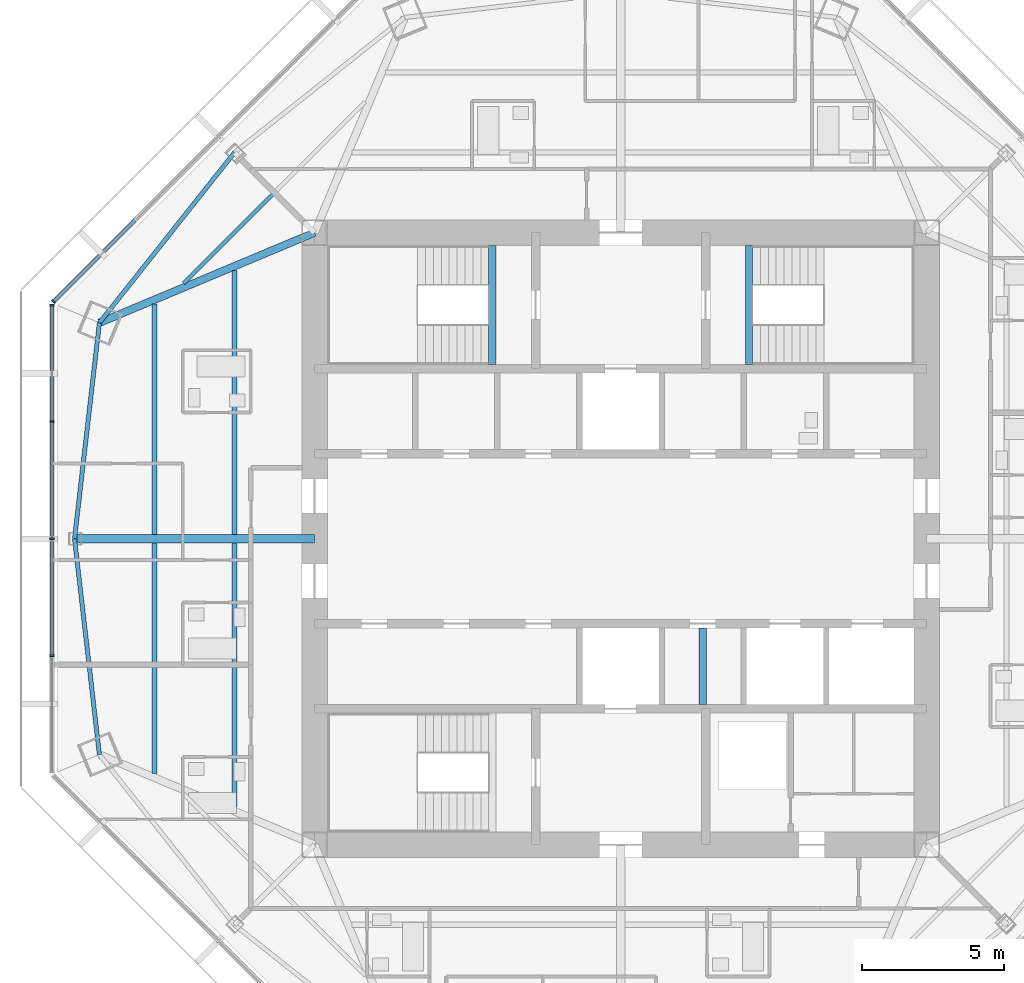
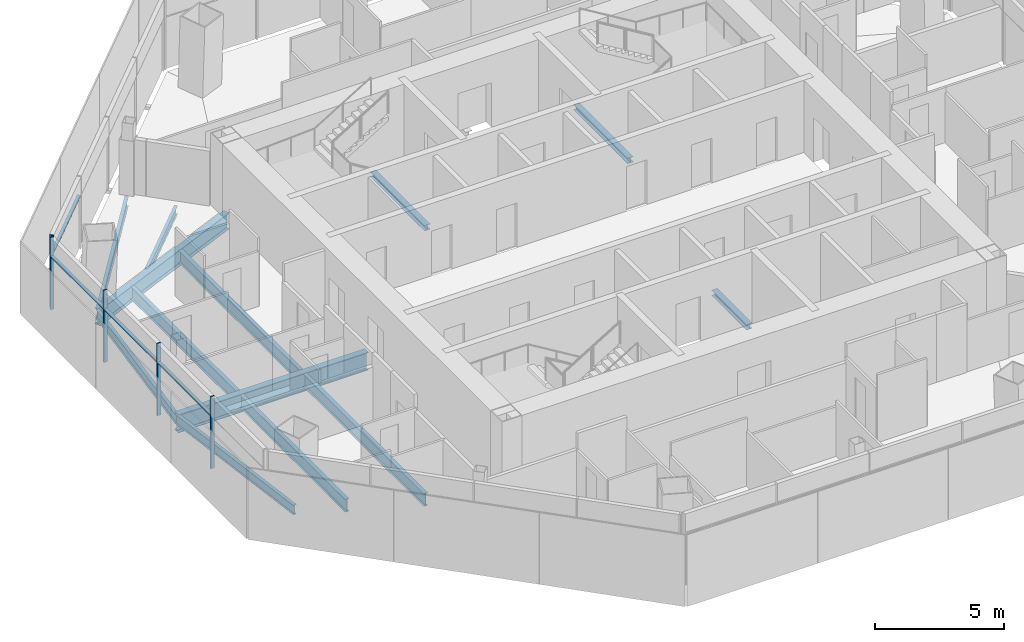
# One storey, part 4 of 15: 13 beams, 9 members, 2 elements without a shape of their own.
"""IFC4 building model written with IfcOpenShell, lengths in metres."""

from ifc_helpers import new_model, si_unit, direction, frame, origin, origin_2d, place, context, subcontext, project, spatial, rectangle, i_section, extrude, source, transform, mapped, material, material_profile, profile_set, type_object, type_shapes, element, aggregate, save


model = new_model("IFC4")

# Units and contexts
model_context = context("Model", 3, precision=1e-05, world=origin(), true_north=direction((0.0, 1.0)))
body_context = subcontext(model_context, "Body", "Model", "MODEL_VIEW")
ifc_project = project(units=[si_unit("LENGTHUNIT", "METRE"), si_unit("AREAUNIT", "SQUARE_METRE"), si_unit("VOLUMEUNIT", "CUBIC_METRE"), si_unit("PLANEANGLEUNIT", "RADIAN"), si_unit("MASSUNIT", "GRAM", prefix="KILO")], contexts=[model_context])

# Site, building, storey
site_placement = place(None, origin())
site = spatial("IfcSite", under=ifc_project, at=site_placement, CompositionType="ELEMENT")
building_placement = place(site_placement, origin())
building = spatial("IfcBuilding", under=site, at=building_placement, Name="Mashrafa Tower", CompositionType="ELEMENT")
storey_placement = place(building_placement, frame((0.0, 0.0, 281.0)))
storey = spatial("IfcBuildingStorey", under=building, at=storey_placement, Name="L68", CompositionType="ELEMENT", Elevation=281.0)

# Beams
ifc_material_1 = material(Name="Steel ASTM A992", Category="steel")
ifc_material_profile_1 = material_profile(ifc_material_1, i_section(OverallWidth=0.140380859375, OverallDepth=0.40380859375, WebThickness=0.007080078125, FlangeThickness=0.01123046875, FilletRadius=0.01025390625, at=origin_2d()), Name="W16X31")
ifc_profile_set_1 = profile_set([ifc_material_profile_1], Name="Steel ASTM A992")
beam_type_1 = type_object("IfcBeamType", Name="Beam W16X31", PredefinedType="BEAM", material=ifc_profile_set_1)
beam_1_placement = place(storey_placement, frame((-15.41650390625, 9.010498046875, -0.40185546875), z_axis=(0.707106781187, 0.707106781187, 0.0), x_axis=(-0.707106781187, 0.707106781187, 0.0)))
element("IfcBeam", 1, at=beam_1_placement, inside=storey, type_object=beam_type_1, Name="Floor beam L68 003", PredefinedType="BEAM", context=body_context, shape_type="SweptSolid", body=[
    extrude(i_section(OverallWidth=0.140380859375, OverallDepth=0.40380859375, WebThickness=0.007080078125, FlangeThickness=0.01123046875, FilletRadius=0.01025390625, at=origin_2d()), origin(), (0.0, 0.0, 1.0), 4.4404296875),
])
ifc_material_2 = material(Name="Steel ASTM A992", Category="steel")
ifc_material_profile_2 = material_profile(ifc_material_2, i_section(OverallWidth=0.15234375, OverallDepth=0.449462890625, WebThickness=0.007568359375, FlangeThickness=0.0107421875, FilletRadius=0.01025390625, at=origin_2d()), Name="W18X35")
ifc_profile_set_2 = profile_set([ifc_material_profile_2], Name="Steel ASTM A992")
beam_type_2 = type_object("IfcBeamType", Name="Beam W18X35", PredefinedType="BEAM", material=ifc_profile_set_2)
for number, where, z_axis, x_axis, name in (
    (2, (-19.271240234375, 0.0, -0.4248046875), (0.114508109387, -0.993422313462, 0.0), (0.993422313462, 0.114508109387, 0.0), "Spandrel beam L68 041"),
    (3, (-18.39306640625, 7.61865234375, -0.4248046875), (-0.114508109387, -0.993422313462, 0.0), (0.993422313462, -0.114508109387, 0.0), "Spandrel beam L68 043"),
    (4, (-13.626953125, 13.626953125, -0.4248046875), (-0.621467485512, -0.783439955868, 0.0), (0.783439955868, -0.621467485512, 0.0), "Spandrel beam L68 045"),
):
    element("IfcBeam", number, at=place(storey_placement, frame(where, z_axis=z_axis, x_axis=x_axis)), inside=storey, type_object=beam_type_2, Name=name, PredefinedType="BEAM", context=body_context, shape_type="SweptSolid", body=[
        extrude(i_section(OverallWidth=0.15234375, OverallDepth=0.449462890625, WebThickness=0.007568359375, FlangeThickness=0.0107421875, FilletRadius=0.01025390625, at=origin_2d()), origin(), (0.0, 0.0, 1.0), 7.669189453125),
    ])
ifc_material_3 = material(Name="Steel ASTM A992", Category="steel")
ifc_material_profile_3 = material_profile(ifc_material_3, i_section(OverallWidth=0.177978515625, OverallDepth=0.599365234375, WebThickness=0.010009765625, FlangeThickness=0.012939453125, FilletRadius=0.012939453125, at=origin_2d()), Name="W24X55")
ifc_profile_set_3 = profile_set([ifc_material_profile_3], Name="Steel ASTM A992")
beam_type_3 = type_object("IfcBeamType", Name="Beam W24X55", PredefinedType="BEAM", material=ifc_profile_set_3)
for number, where, z_axis, x_axis, name in (
    (5, (-16.447509765625, -8.289306640625, -0.499755859375), (0.0, 1.0, 0.0), (-1.0, 0.0, 0.0), "Floor beam L68 001"),
    (6, (-16.447509765625, 0.14599609375, -0.499755859375), (0.0, 1.0, 0.0), (-1.0, 0.0, 0.0), "Floor beam L68 002"),
):
    element("IfcBeam", number, at=place(storey_placement, frame(where, z_axis=z_axis, x_axis=x_axis)), inside=storey, type_object=beam_type_3, Name=name, PredefinedType="BEAM", context=body_context, shape_type="SweptSolid", body=[
        extrude(i_section(OverallWidth=0.177978515625, OverallDepth=0.599365234375, WebThickness=0.010009765625, FlangeThickness=0.012939453125, FilletRadius=0.012939453125, at=origin_2d()), origin(), (0.0, 0.0, 1.0), 8.143310546875),
    ])
for number, where, z_axis, x_axis, name in (
    (7, (-13.623779296875, -9.472412109375, -0.499755859375), (0.0, 1.0, 0.0), (-1.0, 0.0, 0.0), "Floor beam L68 004"),
    (8, (-13.623779296875, 0.14599609375, -0.499755859375), (0.0, 1.0, 0.0), (-1.0, 0.0, 0.0), "Floor beam L68 005"),
):
    element("IfcBeam", number, at=place(storey_placement, frame(where, z_axis=z_axis, x_axis=x_axis)), inside=storey, type_object=beam_type_3, Name=name, PredefinedType="BEAM", context=body_context, shape_type="SweptSolid", body=[
        extrude(i_section(OverallWidth=0.177978515625, OverallDepth=0.599365234375, WebThickness=0.010009765625, FlangeThickness=0.012939453125, FilletRadius=0.012939453125, at=origin_2d()), origin(), (0.0, 0.0, 1.0), 9.326416015625),
    ])
ifc_material_4 = material(Name="Steel ASTM A992", Category="steel")
ifc_material_profile_4 = material_profile(ifc_material_4, i_section(OverallWidth=0.2666015625, OverallDepth=0.761962890625, WebThickness=0.014404296875, FlangeThickness=0.021484375, FilletRadius=0.0166015625, at=origin_2d()), Name="W30X116")
ifc_profile_set_4 = profile_set([ifc_material_profile_4], Name="Steel ASTM A992")
beam_type_4 = type_object("IfcBeamType", Name="Beam W30X116", PredefinedType="BEAM", material=ifc_profile_set_4)
beam_2_placement = place(storey_placement, frame((-10.800048828125, 10.800048828125, -0.5810546875), z_axis=(-0.922314428851, -0.386440285597, 0.0), x_axis=(0.386440285597, -0.922314428851, 0.0)))
element("IfcBeam", 9, at=beam_2_placement, inside=storey, type_object=beam_type_4, Name="Radial girder L68 029", PredefinedType="BEAM", context=body_context, shape_type="SweptSolid", body=[
    extrude(i_section(OverallWidth=0.2666015625, OverallDepth=0.761962890625, WebThickness=0.014404296875, FlangeThickness=0.021484375, FilletRadius=0.0166015625, at=origin_2d()), origin(), (0.0, 0.0, 1.0), 8.232666015625),
])
ifc_material_5 = material(Name="Steel ASTM A992", Category="steel")
ifc_material_profile_5 = material_profile(ifc_material_5, i_section(OverallWidth=0.2919921875, OverallDepth=0.845703125, WebThickness=0.015380859375, FlangeThickness=0.0244140625, FilletRadius=0.017333984375, at=origin_2d()), Name="W33X141")
ifc_profile_set_5 = profile_set([ifc_material_profile_5], Name="Steel ASTM A992")
beam_type_5 = type_object("IfcBeamType", Name="Beam W33X141", PredefinedType="BEAM", material=ifc_profile_set_5)
beam_3_placement = place(storey_placement, frame((-10.800048828125, 0.0, -0.622802734375), z_axis=(-1.0, 0.0, 0.0), x_axis=(0.0, -1.0, 0.0)))
element("IfcBeam", 10, at=beam_3_placement, inside=storey, type_object=beam_type_5, Name="Radial girder L68 028", PredefinedType="BEAM", context=body_context, shape_type="SweptSolid", body=[
    extrude(i_section(OverallWidth=0.2919921875, OverallDepth=0.845703125, WebThickness=0.015380859375, FlangeThickness=0.0244140625, FilletRadius=0.017333984375, at=origin_2d()), origin(), (0.0, 0.0, 1.0), 8.47119140625),
])
ifc_material_6 = material(Name="Steel ASTM A992", Category="steel")
ifc_material_profile_6 = material_profile(ifc_material_6, i_section(OverallWidth=0.25390625, OverallDepth=0.25390625, WebThickness=0.008544921875, FlangeThickness=0.01416015625, FilletRadius=0.010009765625, at=origin_2d()), Name="W10X49")
ifc_profile_set_6 = profile_set([ifc_material_profile_6], Name="Steel ASTM A992")
beam_type_6 = type_object("IfcBeamType", Name="Hoistway beam W10X49", PredefinedType="BEAM", material=ifc_profile_set_6)
beam_4_placement = place(storey_placement, frame((2.89990234375, -5.85009765625, -0.326904296875), z_axis=(0.0, 1.0, 0.0), x_axis=(-1.0, 0.0, 0.0)))
element("IfcBeam", 11, at=beam_4_placement, inside=storey, type_object=beam_type_6, Name="Hoistway beam L68 08", PredefinedType="BEAM", context=body_context, shape_type="SweptSolid", body=[
    extrude(i_section(OverallWidth=0.25390625, OverallDepth=0.25390625, WebThickness=0.008544921875, FlangeThickness=0.01416015625, FilletRadius=0.010009765625, at=origin_2d()), origin(), (0.0, 0.0, 1.0), 2.7001953125),
])
for number, where, z_axis, x_axis, name in (
    (12, (-4.530029296875, 6.14990234375, -0.326904296875), (0.0, 1.0, 0.0), (-1.0, 0.0, 0.0), "Stair S1 landing beam L68"),
    (13, (4.530029296875, 6.14990234375, -0.326904296875), (0.0, 1.0, 0.0), (-1.0, 0.0, 0.0), "Stair S2 landing beam L68"),
):
    element("IfcBeam", number, at=place(storey_placement, frame(where, z_axis=z_axis, x_axis=x_axis)), inside=storey, type_object=beam_type_6, Name=name, PredefinedType="BEAM", context=body_context, shape_type="SweptSolid", body=[
        extrude(i_section(OverallWidth=0.25390625, OverallDepth=0.25390625, WebThickness=0.008544921875, FlangeThickness=0.01416015625, FilletRadius=0.010009765625, at=origin_2d()), origin(), (0.0, 0.0, 1.0), 4.2001953125),
    ])

# Curtain wall, member
ifc_material_7 = material(Name="Unitised aluminium curtain wall", Category="aluminium")
curtain_wall_type = type_object("IfcCurtainWallType", Name="Apartment curtain wall, zone 4 CW-D 160 deep", PredefinedType="NOTDEFINED", material=ifc_material_7)
curtain_wall_1_placement = place(storey_placement, origin())
curtain_wall_1 = element("IfcCurtainWall", 14, at=curtain_wall_1_placement, inside=storey, type_object=curtain_wall_type, Name="Apartment curtain wall, zone 4 L68 north-west", PredefinedType="NOTDEFINED")
ifc_material_8 = material(Name="Extruded aluminium mullion", Category="aluminium")
ifc_material_profile_7 = material_profile(ifc_material_8, rectangle(XDim=0.159912109375, YDim=0.06005859375, at=origin_2d()), Name="Mullion 60x160")
ifc_profile_set_7 = profile_set([ifc_material_profile_7], Name="Extruded aluminium mullion")
member_type_1 = type_object("IfcMemberType", Name="Mullion CW-D 60 x 160", PredefinedType="MULLION", material=ifc_profile_set_7)
shared_shape_1 = source(origin(), body_context, "Body", "SweptSolid", [
    extrude(rectangle(XDim=0.159912109375, YDim=0.06005859375, at=origin_2d()), origin(), (0.0, 0.0, 1.0), 3.39990234375),
])
type_shapes(member_type_1, [shared_shape_1])
member_1_placement = place(storey_placement, frame((-20.013916015625, 8.36328125, 0.0), z_axis=(0.0, 0.0, 1.0), x_axis=(0.707106781187, -0.707106781187, 0.0)))
member_1 = element("IfcMember", 15, at=member_1_placement, type_object=member_type_1, Name="CW-D mullion 5", PredefinedType="MULLION", context=body_context, shape_type="MappedRepresentation", body=[
    mapped(shared_shape_1, transform((0.0, 0.0, 0.0))),
])

# Curtain wall, members
curtain_wall_2_placement = place(storey_placement, origin())
curtain_wall_2 = element("IfcCurtainWall", 16, at=curtain_wall_2_placement, inside=storey, type_object=curtain_wall_type, Name="Apartment curtain wall, zone 4 L68 west", PredefinedType="NOTDEFINED")
member_2_placement = place(storey_placement, frame((-20.065673828125, 8.23828125, 0.0), z_axis=(0.0, 0.0, 1.0), x_axis=(1.0, 0.0, 0.0)))
member_2 = element("IfcMember", 17, at=member_2_placement, type_object=member_type_1, Name="CW-D mullion 1", PredefinedType="MULLION", context=body_context, shape_type="MappedRepresentation", body=[
    mapped(shared_shape_1, transform((0.0, 0.0, 0.0))),
])
member_3_placement = place(storey_placement, frame((-20.065673828125, 4.13427734375, 0.0), z_axis=(0.0, 0.0, 1.0), x_axis=(1.0, 0.0, 0.0)))
member_3 = element("IfcMember", 18, at=member_3_placement, type_object=member_type_1, Name="CW-D mullion 2", PredefinedType="MULLION", context=body_context, shape_type="MappedRepresentation", body=[
    mapped(shared_shape_1, transform((0.0, 0.0, 0.0))),
])
member_4_placement = place(storey_placement, frame((-20.065673828125, 0.0, 0.0), z_axis=(0.0, 0.0, 1.0), x_axis=(1.0, 0.0, 0.0)))
member_4 = element("IfcMember", 19, at=member_4_placement, type_object=member_type_1, Name="CW-D mullion 3", PredefinedType="MULLION", context=body_context, shape_type="MappedRepresentation", body=[
    mapped(shared_shape_1, transform((0.0, 0.0, 0.0))),
])
member_5_placement = place(storey_placement, frame((-20.065673828125, -4.13427734375, 0.0), z_axis=(0.0, 0.0, 1.0), x_axis=(1.0, 0.0, 0.0)))
member_5 = element("IfcMember", 20, at=member_5_placement, type_object=member_type_1, Name="CW-D mullion 4", PredefinedType="MULLION", context=body_context, shape_type="MappedRepresentation", body=[
    mapped(shared_shape_1, transform((0.0, 0.0, 0.0))),
])

# Member
ifc_material_9 = material(Name="Extruded aluminium transom", Category="aluminium")
ifc_material_profile_8 = material_profile(ifc_material_9, rectangle(XDim=0.1279296875, YDim=0.074951171875, at=origin_2d()), Name="Transom 75x128")
ifc_profile_set_8 = profile_set([ifc_material_profile_8], Name="Extruded aluminium transom")
member_type_2 = type_object("IfcMemberType", Name="Transom CW-D 75 x 128", PredefinedType="MULLION", material=ifc_profile_set_8)
shared_shape_2 = source(origin(), body_context, "Body", "SweptSolid", [
    extrude(rectangle(XDim=0.1279296875, YDim=0.074951171875, at=origin_2d()), origin(), (0.0, 0.0, 1.0), 4.044189453125),
])
member_6_placement = place(storey_placement, frame((-17.133056640625, 11.244140625, 2.5), z_axis=(-0.707076597131, -0.707136963954, 0.0), x_axis=(0.707136963954, -0.707076597131, 0.0)))
member_6 = element("IfcMember", 21, at=member_6_placement, type_object=member_type_2, Name="CW-D transom 4", PredefinedType="MULLION", context=body_context, shape_type="MappedRepresentation", body=[
    mapped(shared_shape_2, transform((0.0, 0.0, 0.0))),
])

aggregate(curtain_wall_1, [member_1, member_6])

member_7_placement = place(storey_placement, frame((-20.065673828125, 8.208251953125, 2.5), z_axis=(0.0, -1.0, 0.0), x_axis=(1.0, 0.0, 0.0)))
member_7 = element("IfcMember", 22, at=member_7_placement, type_object=member_type_2, Name="CW-D transom 1", PredefinedType="MULLION", context=body_context, shape_type="MappedRepresentation", body=[
    mapped(shared_shape_2, transform((0.0, 0.0, 0.0))),
])

shared_shape_3 = source(origin(), body_context, "Body", "SweptSolid", [
    extrude(rectangle(XDim=0.1279296875, YDim=0.074951171875, at=origin_2d()), origin(), (0.0, 0.0, 1.0), 4.07421875),
])
type_shapes(member_type_2, [shared_shape_2, shared_shape_3])
member_8_placement = place(storey_placement, frame((-20.065673828125, 4.104248046875, 2.5), z_axis=(0.0, -1.0, 0.0), x_axis=(1.0, 0.0, 0.0)))
member_8 = element("IfcMember", 23, at=member_8_placement, type_object=member_type_2, Name="CW-D transom 2", PredefinedType="MULLION", context=body_context, shape_type="MappedRepresentation", body=[
    mapped(shared_shape_3, transform((0.0, 0.0, 0.0))),
])

member_9_placement = place(storey_placement, frame((-20.065673828125, -0.030029296875, 2.5), z_axis=(0.0, -1.0, 0.0), x_axis=(1.0, 0.0, 0.0)))
member_9 = element("IfcMember", 24, at=member_9_placement, type_object=member_type_2, Name="CW-D transom 3", PredefinedType="MULLION", context=body_context, shape_type="MappedRepresentation", body=[
    mapped(shared_shape_3, transform((0.0, 0.0, 0.0))),
])

aggregate(curtain_wall_2, [member_2, member_3, member_4, member_5, member_7, member_8, member_9])

save(model, "model.ifc")
